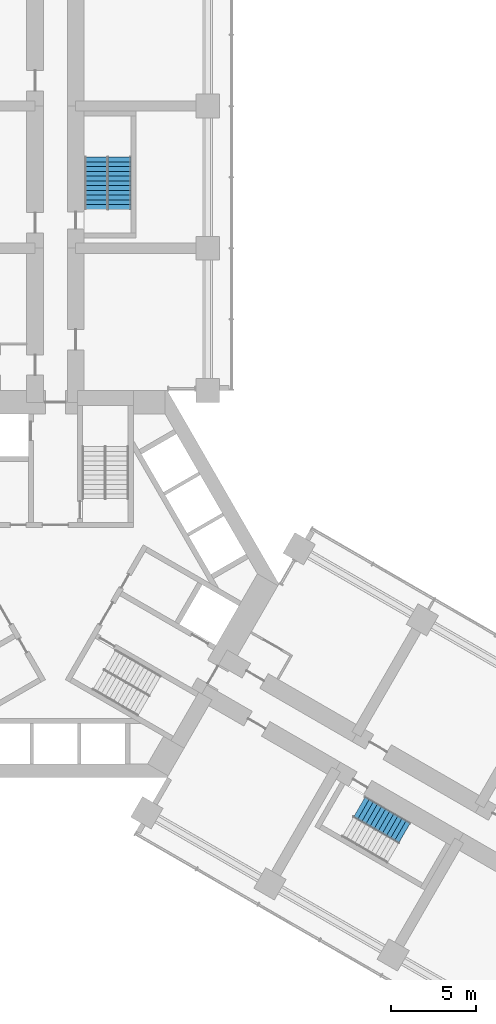
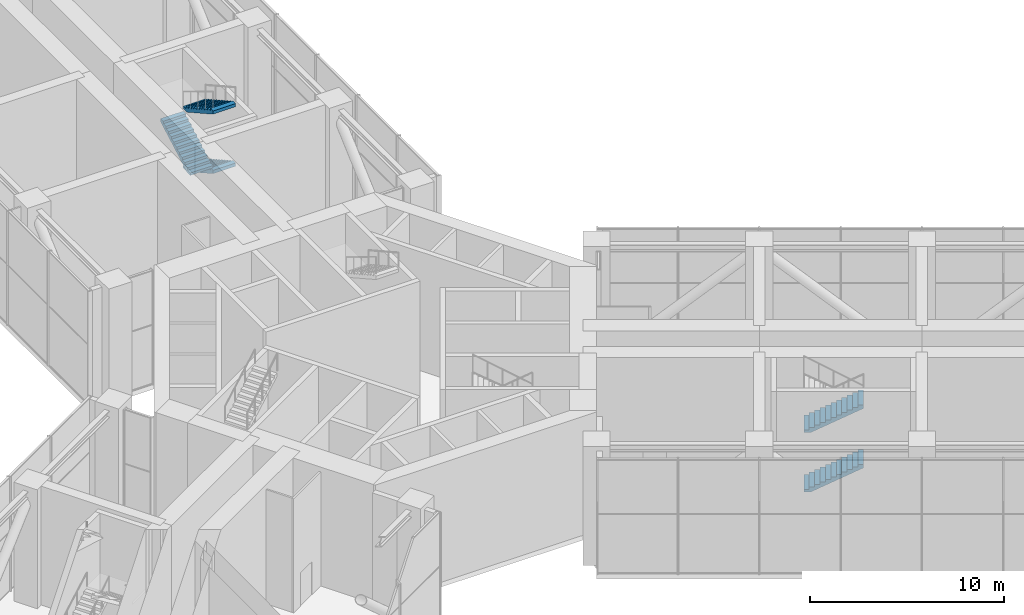
# One storey, part 18 of 19: 5 stair flights, 2 elements without a shape of their own.
"""IFC4 building model written with IfcOpenShell, lengths in metres."""

import ifcopenshell
import ifcopenshell.guid

model = None  # the IFC model being written
_history = None  # IfcOwnerHistory: only IFC2X3 demands one
_inside = {}  # id of a spatial element -> (the spatial element, [elements in it])
_under = {}  # id of a project, library or spatial element -> (it, [spatial elements below it])
_declared = {}  # id of a project -> (the project, [libraries it declares])
_typed = {}  # id of a type object -> (the type object, [elements of that type])
_made_of = {}  # id of a material, layer set ... -> (it, [elements and type objects made of it])


def new_model(schema):
    """Start an empty IFC model of exactly this schema.

    Asked for "IFC4X3", IfcOpenShell would pick the latest addendum, in which some entities
    have other attributes; the version numbers below select the first issue.
    IFC2X3 requires an IfcOwnerHistory on every rooted entity: one is made here for all.
    """
    global model, _history
    if schema == "IFC4X3":
        model = ifcopenshell.file(schema_version=(4, 3, 0, 0))
    else:
        model = ifcopenshell.file(schema=schema)
    _inside.clear()
    _under.clear()
    _declared.clear()
    _typed.clear()
    _made_of.clear()
    _history = None
    if model.schema == "IFC2X3":
        org = make("IfcOrganization", Name="unknown")
        user = make(
            "IfcPersonAndOrganization",
            ThePerson=make("IfcPerson", FamilyName="unknown"),
            TheOrganization=org,
        )
        app = make(
            "IfcApplication",
            ApplicationDeveloper=org,
            Version="unknown",
            ApplicationFullName="unknown",
            ApplicationIdentifier="unknown",
        )
        _history = make(
            "IfcOwnerHistory",
            OwningUser=user,
            OwningApplication=app,
            ChangeAction="ADDED",
            CreationDate=0,
        )
    return model


def make(cls, **values):
    """One entity of the class cls with the attributes given. An attribute that is None is left unset."""
    return model.create_entity(
        cls, **{name: value for name, value in values.items() if value is not None}
    )


def rooted(cls, **values):
    """An entity with a GlobalId (a new one), such as an element, a storey or a relation."""
    return make(cls, GlobalId=ifcopenshell.guid.new(), OwnerHistory=_history, **values)


def si_unit(unit_type, name, prefix=None):
    """IfcSIUnit, for example si_unit("LENGTHUNIT", "METRE", prefix="MILLI")."""
    return make("IfcSIUnit", UnitType=unit_type, Prefix=prefix, Name=name)


def assignment(units):
    """IfcUnitAssignment: the units of a project."""
    return None if units is None else make("IfcUnitAssignment", Units=units)


def point(xyz):
    """IfcCartesianPoint."""
    return None if xyz is None else make("IfcCartesianPoint", Coordinates=xyz)


def direction(xyz):
    """IfcDirection."""
    return None if xyz is None else make("IfcDirection", DirectionRatios=xyz)


def frame(location, z_axis=None, x_axis=None):
    """IfcAxis2Placement3D, a coordinate frame: its origin and axes. An axis left out is left unset."""
    return make(
        "IfcAxis2Placement3D",
        Location=point(location),
        Axis=direction(z_axis),
        RefDirection=direction(x_axis),
    )


def origin():
    """The frame at (0, 0, 0) with its axes left unset."""
    return frame((0.0, 0.0, 0.0))


def place(relative_to, where):
    """IfcLocalPlacement: puts the frame where relative to a parent placement (None: the world)."""
    return make(
        "IfcLocalPlacement", PlacementRelTo=relative_to, RelativePlacement=where
    )


def context(
    kind, dimensions, precision=None, world=None, true_north=None, identifier=None
):
    """IfcGeometricRepresentationContext, for example the 3D "Model" context."""
    return make(
        "IfcGeometricRepresentationContext",
        ContextIdentifier=identifier,
        ContextType=kind,
        CoordinateSpaceDimension=dimensions,
        Precision=precision,
        WorldCoordinateSystem=world,
        TrueNorth=true_north,
    )


def subcontext(parent, identifier, kind, view, scale=None):
    """IfcGeometricRepresentationSubContext, for example "Body" below "Model"."""
    return make(
        "IfcGeometricRepresentationSubContext",
        ContextIdentifier=identifier,
        ContextType=kind,
        ParentContext=parent,
        TargetScale=scale,
        TargetView=view,
    )


def project(units=None, contexts=None):
    """IfcProject with its units and contexts."""
    return rooted(
        "IfcProject",
        Name="project",
        RepresentationContexts=contexts,
        UnitsInContext=assignment(units),
    )


def spatial(cls, under=None, at=None, **own):
    """A site, building, storey or space (cls), placed at a placement, below another one or the project."""
    s = rooted(cls, ObjectPlacement=at, **own)
    if under is not None:
        _under.setdefault(under.id(), (under, []))[1].append(s)
    return s


def polyline(points):
    """IfcPolyline through the points."""
    return make("IfcPolyline", Points=[point(p) for p in points])


def outline(outer, holes=None, kind="AREA"):
    """IfcArbitraryClosedProfileDef: a profile drawn as a closed curve; with holes, ...WithVoids."""
    if holes is None:
        return make("IfcArbitraryClosedProfileDef", ProfileType=kind, OuterCurve=outer)
    return make(
        "IfcArbitraryProfileDefWithVoids",
        ProfileType=kind,
        OuterCurve=outer,
        InnerCurves=holes,
    )


def extrude(swept, where, along, depth):
    """IfcExtrudedAreaSolid: the profile swept, set in the frame where, extruded along a direction by depth."""
    return make(
        "IfcExtrudedAreaSolid",
        SweptArea=swept,
        Position=where,
        ExtrudedDirection=direction(along),
        Depth=depth,
    )


def shape(context_of_items, identifier, shape_type, items):
    """IfcShapeRepresentation: the items that make up one representation, for example the "Body"."""
    return make(
        "IfcShapeRepresentation",
        ContextOfItems=context_of_items,
        RepresentationIdentifier=identifier,
        RepresentationType=shape_type,
        Items=items,
    )


def material(Name=None, Category=None):
    """IfcMaterial."""
    return make("IfcMaterial", Name=Name, Category=Category)


def made_of(thing, what):
    """Note that an element or type object is made of a material, layer set ...; save() writes the relation."""
    if what is not None:
        _made_of.setdefault(what.id(), (what, []))[1].append(thing)
    return thing


def type_object(cls, material=None, **own):
    """A type object (cls), such as IfcWallType, which elements share."""
    return made_of(rooted(cls, **own), material)


def element(
    cls,
    number,
    at=None,
    inside=None,
    cuts=None,
    type_object=None,
    material=None,
    context=None,
    identifier="Body",
    shape_type=None,
    held_by="IfcProductDefinitionShape",
    body=None,
    shapes=None,
    **own,
):
    """One element of the class cls, such as IfcWall. Its Tag is "e" and its number.

    at: its placement. inside: the storey or other place that contains it. cuts: it is an
    opening in that element (IfcRelVoidsElement). A single representation is given by context,
    identifier, shape_type and body (its items); several are given by shapes. held_by: the class
    of the entity that holds the representations. save() writes the other relations.
    """
    e = rooted(cls, Tag="e%d" % number, ObjectPlacement=at, **own)
    if body is not None:
        shapes = [shape(context, identifier, shape_type, body)]
    if shapes is not None:
        e.Representation = make(held_by, Representations=shapes)
    if inside is not None:
        _inside.setdefault(inside.id(), (inside, []))[1].append(e)
    if cuts is not None:
        rooted(
            "IfcRelVoidsElement", RelatingBuildingElement=cuts, RelatedOpeningElement=e
        )
    if type_object is not None:
        _typed.setdefault(type_object.id(), (type_object, []))[1].append(e)
    return made_of(e, material)


def aggregate(whole, parts):
    """IfcRelAggregates: a whole, such as a stair, and the parts it consists of."""
    return rooted("IfcRelAggregates", RelatingObject=whole, RelatedObjects=parts)


def save(model, path):
    """Write the relations noted so far, then the file.

    IfcRelAggregates (storeys below a building ...), IfcRelContainedInSpatialStructure (elements
    in a storey), IfcRelDefinesByType, IfcRelAssociatesMaterial and IfcRelDeclares: one each for
    every whole, place, type object, material and project.
    """
    for whole, parts in _under.values():
        aggregate(whole, parts)
    for where, things in _inside.values():
        rooted(
            "IfcRelContainedInSpatialStructure",
            RelatedElements=things,
            RelatingStructure=where,
        )
    for kind, things in _typed.values():
        rooted("IfcRelDefinesByType", RelatedObjects=things, RelatingType=kind)
    for what, things in _made_of.values():
        rooted("IfcRelAssociatesMaterial", RelatedObjects=things, RelatingMaterial=what)
    for by, libraries in _declared.values():
        rooted("IfcRelDeclares", RelatingContext=by, RelatedDefinitions=libraries)
    model.write(path)


model = new_model("IFC4")

# Units and contexts
model_context = context("Model", 3, precision=1e-05, world=origin(), true_north=direction((0.0, 1.0)))
body_context = subcontext(model_context, "Body", "Model", "MODEL_VIEW")
ifc_project = project(units=[si_unit("LENGTHUNIT", "METRE"), si_unit("AREAUNIT", "SQUARE_METRE"), si_unit("VOLUMEUNIT", "CUBIC_METRE"), si_unit("PLANEANGLEUNIT", "RADIAN"), si_unit("MASSUNIT", "GRAM", prefix="KILO")], contexts=[model_context])

# Site, building, storey
site_placement = place(None, origin())
site = spatial("IfcSite", under=ifc_project, at=site_placement, CompositionType="ELEMENT")
building_placement = place(site_placement, origin())
building = spatial("IfcBuilding", under=site, at=building_placement, Name="Impinga Residences", CompositionType="ELEMENT")
storey_placement = place(building_placement, frame((0.0, 0.0, 93.5)))
storey = spatial("IfcBuildingStorey", under=building, at=storey_placement, Name="L23", CompositionType="ELEMENT", Elevation=93.5)

# Stair, stair flights
ifc_material = material(Name="Concrete C40/50", Category="concrete")
stair_type = type_object("IfcStairType", Name="STR wing stair 7500 storey, 48 risers", PredefinedType="HALF_TURN_STAIR", material=ifc_material)
stair_1_placement = place(storey_placement, origin())
stair_1 = element("IfcStair", 1, at=stair_1_placement, inside=storey, type_object=stair_type, Name="Stair WS1 L23", PredefinedType="HALF_TURN_STAIR")
stair_flight_type = type_object("IfcStairFlightType", Name="SF 12 risers of 156", PredefinedType="STRAIGHT", material=ifc_material)
stair_flight_1_placement = place(storey_placement, frame((3.77490234375, 25.21142578125, 1.875), z_axis=(0.0, 0.0, 1.0), x_axis=(0.0, -1.0, 0.0)))
stair_flight_1 = element("IfcStairFlight", 2, at=stair_flight_1_placement, type_object=stair_flight_type, Name="WS1 flight 2", NumberOfRisers=12, NumberOfTreads=11, PredefinedType="STRAIGHT", RiserHeight=0.15625, TreadLength=0.28, context=body_context, shape_type="SweptSolid", body=[
    extrude(outline(polyline([(0.0, 0.0), (0.0, 0.15625), (0.280029296875, 0.15625), (0.280029296875, 0.3125), (0.56005859375, 0.3125), (0.56005859375, 0.46875), (0.840087890625, 0.46875), (0.840087890625, 0.625), (1.1201171875, 0.625), (1.1201171875, 0.78125), (1.39990234375, 0.78125), (1.39990234375, 0.9375), (1.679931640625, 0.9375), (1.679931640625, 1.09375), (1.9599609375, 1.09375), (1.9599609375, 1.25), (2.239990234375, 1.25), (2.239990234375, 1.40625), (2.52001953125, 1.40625), (2.52001953125, 1.5625), (2.800048828125, 1.5625), (2.800048828125, 1.71875), (3.080078125, 1.71875), (3.080078125, 1.875), (3.080078125, 1.5126953125), (0.369140625, 0.0), (0.0, 0.0)])), frame((0.0, 0.675048828125, 0.0), z_axis=(0.0, -1.0, 0.0), x_axis=(1.0, 0.0, 0.0)), (0.0, 0.0, 1.0), 1.35009765625),
])
stair_flight_2_placement = place(storey_placement, frame((2.425048828125, 22.131591796875, 3.75), z_axis=(0.0, 0.0, 1.0), x_axis=(0.0, 1.0, 0.0)))
stair_flight_2 = element("IfcStairFlight", 3, at=stair_flight_2_placement, type_object=stair_flight_type, Name="WS1 flight 3", NumberOfRisers=12, NumberOfTreads=11, PredefinedType="STRAIGHT", RiserHeight=0.15625, TreadLength=0.28, context=body_context, shape_type="SweptSolid", body=[
    extrude(outline(polyline([(0.0, 0.0), (0.0, 0.15625), (0.280029296875, 0.15625), (0.280029296875, 0.3125), (0.56005859375, 0.3125), (0.56005859375, 0.46875), (0.840087890625, 0.46875), (0.840087890625, 0.625), (1.1201171875, 0.625), (1.1201171875, 0.78125), (1.39990234375, 0.78125), (1.39990234375, 0.9375), (1.679931640625, 0.9375), (1.679931640625, 1.09375), (1.9599609375, 1.09375), (1.9599609375, 1.25), (2.239990234375, 1.25), (2.239990234375, 1.40625), (2.52001953125, 1.40625), (2.52001953125, 1.5625), (2.800048828125, 1.5625), (2.800048828125, 1.71875), (3.080078125, 1.71875), (3.080078125, 1.875), (3.080078125, 1.5126953125), (0.369140625, 0.0), (0.0, 0.0)])), frame((0.0, 0.675048828125, 0.0), z_axis=(0.0, -1.0, 0.0), x_axis=(1.0, 0.0, 0.0)), (0.0, 0.0, 1.0), 1.35009765625),
])
stair_flight_3_placement = place(storey_placement, frame((3.77490234375, 25.21142578125, 5.625), z_axis=(0.0, 0.0, 1.0), x_axis=(0.0, -1.0, 0.0)))
stair_flight_3 = element("IfcStairFlight", 4, at=stair_flight_3_placement, type_object=stair_flight_type, Name="WS1 flight 4", NumberOfRisers=12, NumberOfTreads=11, PredefinedType="STRAIGHT", RiserHeight=0.15625, TreadLength=0.28, context=body_context, shape_type="SweptSolid", body=[
    extrude(outline(polyline([(0.0, 0.0), (0.0, 0.15625), (0.280029296875, 0.15625), (0.280029296875, 0.3125), (0.56005859375, 0.3125), (0.56005859375, 0.46875), (0.840087890625, 0.46875), (0.840087890625, 0.625), (1.1201171875, 0.625), (1.1201171875, 0.78125), (1.39990234375, 0.78125), (1.39990234375, 0.9375), (1.679931640625, 0.9375), (1.679931640625, 1.09375), (1.9599609375, 1.09375), (1.9599609375, 1.25), (2.239990234375, 1.25), (2.239990234375, 1.40625), (2.52001953125, 1.40625), (2.52001953125, 1.5625), (2.800048828125, 1.5625), (2.800048828125, 1.71875), (3.080078125, 1.71875), (3.080078125, 1.875), (3.080078125, 1.5126953125), (0.369140625, 0.0), (0.0, 0.0)])), frame((0.0, 0.675048828125, 0.0), z_axis=(0.0, -1.0, 0.0), x_axis=(1.0, 0.0, 0.0)), (0.0, 0.0, 1.0), 1.35009765625),
])
aggregate(stair_1, [stair_flight_1, stair_flight_2, stair_flight_3])

stair_2_placement = place(storey_placement, origin())
stair_2 = element("IfcStair", 5, at=stair_2_placement, inside=storey, type_object=stair_type, Name="Stair WS3 L23", PredefinedType="HALF_TURN_STAIR")
stair_flight_4_placement = place(storey_placement, frame((17.953857421875, -13.165771484375, 0.0), z_axis=(0.0, 0.0, 1.0), x_axis=(0.866025403784, -0.5, 0.0)))
stair_flight_4 = element("IfcStairFlight", 6, at=stair_flight_4_placement, type_object=stair_flight_type, Name="WS3 flight 1", NumberOfRisers=12, NumberOfTreads=11, PredefinedType="STRAIGHT", RiserHeight=0.15625, TreadLength=0.28, context=body_context, shape_type="SweptSolid", body=[
    extrude(outline(polyline([(0.0, 0.0), (0.0, 0.15625), (0.280029296875, 0.15625), (0.280029296875, 0.3125), (0.56005859375, 0.3125), (0.56005859375, 0.46875), (0.840087890625, 0.46875), (0.840087890625, 0.625), (1.1201171875, 0.625), (1.1201171875, 0.78125), (1.39990234375, 0.78125), (1.39990234375, 0.9375), (1.679931640625, 0.9375), (1.679931640625, 1.09375), (1.9599609375, 1.09375), (1.9599609375, 1.25), (2.239990234375, 1.25), (2.239990234375, 1.40625), (2.52001953125, 1.40625), (2.52001953125, 1.5625), (2.800048828125, 1.5625), (2.800048828125, 1.71875), (3.080078125, 1.71875), (3.080078125, 1.875), (3.080078125, 1.5126953125), (0.369140625, 0.0), (0.0, 0.0)])), frame((0.0, 0.675048828125, 0.0), z_axis=(0.0, -1.0, 0.0), x_axis=(1.0, 0.0, 0.0)), (0.0, 0.0, 1.0), 1.35009765625),
])
stair_flight_5_placement = place(storey_placement, frame((17.953857421875, -13.165771484375, 3.75), z_axis=(0.0, 0.0, 1.0), x_axis=(0.866025403784, -0.5, 0.0)))
stair_flight_5 = element("IfcStairFlight", 7, at=stair_flight_5_placement, type_object=stair_flight_type, Name="WS3 flight 3", NumberOfRisers=12, NumberOfTreads=11, PredefinedType="STRAIGHT", RiserHeight=0.15625, TreadLength=0.28, context=body_context, shape_type="SweptSolid", body=[
    extrude(outline(polyline([(0.0, 0.0), (0.0, 0.15625), (0.280029296875, 0.15625), (0.280029296875, 0.3125), (0.56005859375, 0.3125), (0.56005859375, 0.46875), (0.840087890625, 0.46875), (0.840087890625, 0.625), (1.1201171875, 0.625), (1.1201171875, 0.78125), (1.39990234375, 0.78125), (1.39990234375, 0.9375), (1.679931640625, 0.9375), (1.679931640625, 1.09375), (1.9599609375, 1.09375), (1.9599609375, 1.25), (2.239990234375, 1.25), (2.239990234375, 1.40625), (2.52001953125, 1.40625), (2.52001953125, 1.5625), (2.800048828125, 1.5625), (2.800048828125, 1.71875), (3.080078125, 1.71875), (3.080078125, 1.875), (3.080078125, 1.5126953125), (0.369140625, 0.0), (0.0, 0.0)])), frame((0.0, 0.675048828125, 0.0), z_axis=(0.0, -1.0, 0.0), x_axis=(1.0, 0.0, 0.0)), (0.0, 0.0, 1.0), 1.35009765625),
])
aggregate(stair_2, [stair_flight_4, stair_flight_5])

save(model, "model.ifc")
